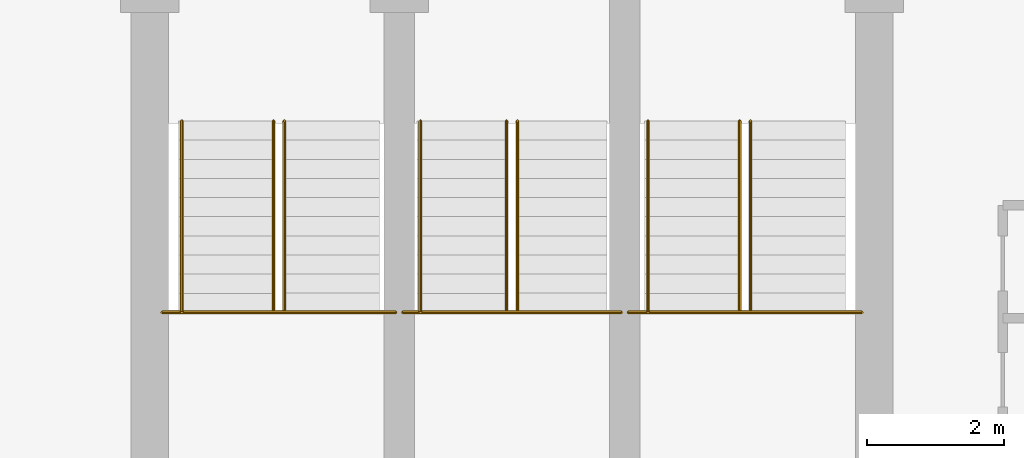
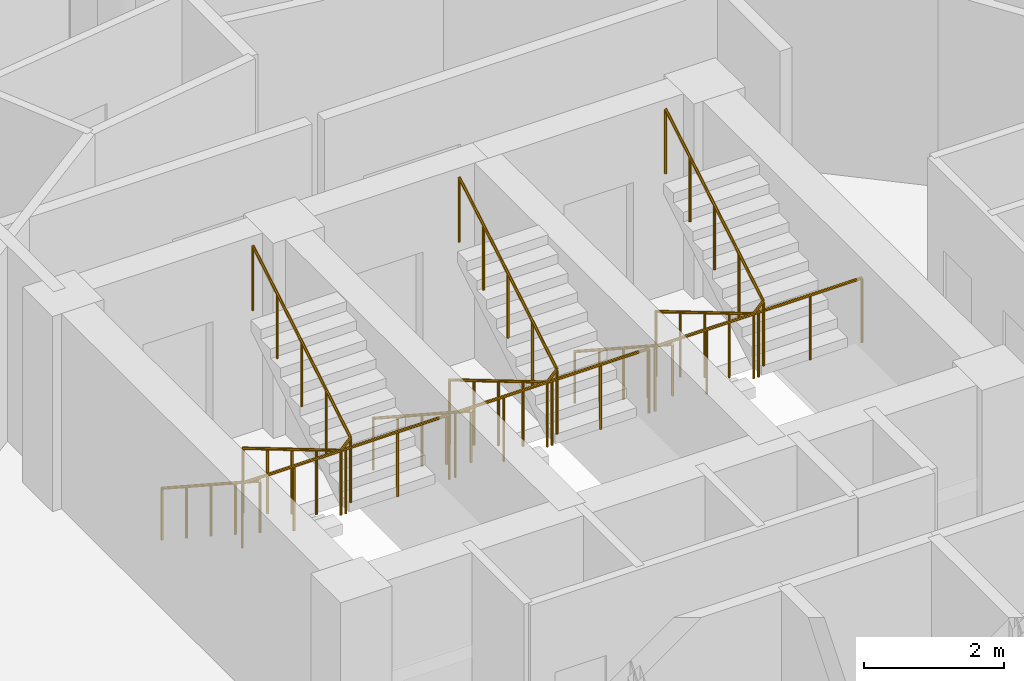
# One storey, part 27 of 27: 9 railings.
"""IFC4 building model written with IfcOpenShell, lengths in metres."""

import ifcopenshell
import ifcopenshell.guid

model = None  # the IFC model being written
_history = None  # IfcOwnerHistory: only IFC2X3 demands one
_inside = {}  # id of a spatial element -> (the spatial element, [elements in it])
_under = {}  # id of a project, library or spatial element -> (it, [spatial elements below it])
_declared = {}  # id of a project -> (the project, [libraries it declares])
_typed = {}  # id of a type object -> (the type object, [elements of that type])
_made_of = {}  # id of a material, layer set ... -> (it, [elements and type objects made of it])


def new_model(schema):
    """Start an empty IFC model of exactly this schema.

    Asked for "IFC4X3", IfcOpenShell would pick the latest addendum, in which some entities
    have other attributes; the version numbers below select the first issue.
    IFC2X3 requires an IfcOwnerHistory on every rooted entity: one is made here for all.
    """
    global model, _history
    if schema == "IFC4X3":
        model = ifcopenshell.file(schema_version=(4, 3, 0, 0))
    else:
        model = ifcopenshell.file(schema=schema)
    _inside.clear()
    _under.clear()
    _declared.clear()
    _typed.clear()
    _made_of.clear()
    _history = None
    if model.schema == "IFC2X3":
        org = make("IfcOrganization", Name="unknown")
        user = make(
            "IfcPersonAndOrganization",
            ThePerson=make("IfcPerson", FamilyName="unknown"),
            TheOrganization=org,
        )
        app = make(
            "IfcApplication",
            ApplicationDeveloper=org,
            Version="unknown",
            ApplicationFullName="unknown",
            ApplicationIdentifier="unknown",
        )
        _history = make(
            "IfcOwnerHistory",
            OwningUser=user,
            OwningApplication=app,
            ChangeAction="ADDED",
            CreationDate=0,
        )
    return model


def make(cls, **values):
    """One entity of the class cls with the attributes given. An attribute that is None is left unset."""
    return model.create_entity(
        cls, **{name: value for name, value in values.items() if value is not None}
    )


def rooted(cls, **values):
    """An entity with a GlobalId (a new one), such as an element, a storey or a relation."""
    return make(cls, GlobalId=ifcopenshell.guid.new(), OwnerHistory=_history, **values)


def si_unit(unit_type, name, prefix=None):
    """IfcSIUnit, for example si_unit("LENGTHUNIT", "METRE", prefix="MILLI")."""
    return make("IfcSIUnit", UnitType=unit_type, Prefix=prefix, Name=name)


def assignment(units):
    """IfcUnitAssignment: the units of a project."""
    return None if units is None else make("IfcUnitAssignment", Units=units)


def point(xyz):
    """IfcCartesianPoint."""
    return None if xyz is None else make("IfcCartesianPoint", Coordinates=xyz)


def direction(xyz):
    """IfcDirection."""
    return None if xyz is None else make("IfcDirection", DirectionRatios=xyz)


def frame(location, z_axis=None, x_axis=None):
    """IfcAxis2Placement3D, a coordinate frame: its origin and axes. An axis left out is left unset."""
    return make(
        "IfcAxis2Placement3D",
        Location=point(location),
        Axis=direction(z_axis),
        RefDirection=direction(x_axis),
    )


def origin():
    """The frame at (0, 0, 0) with its axes left unset."""
    return frame((0.0, 0.0, 0.0))


def place(relative_to, where):
    """IfcLocalPlacement: puts the frame where relative to a parent placement (None: the world)."""
    return make(
        "IfcLocalPlacement", PlacementRelTo=relative_to, RelativePlacement=where
    )


def context(
    kind, dimensions, precision=None, world=None, true_north=None, identifier=None
):
    """IfcGeometricRepresentationContext, for example the 3D "Model" context."""
    return make(
        "IfcGeometricRepresentationContext",
        ContextIdentifier=identifier,
        ContextType=kind,
        CoordinateSpaceDimension=dimensions,
        Precision=precision,
        WorldCoordinateSystem=world,
        TrueNorth=true_north,
    )


def subcontext(parent, identifier, kind, view, scale=None):
    """IfcGeometricRepresentationSubContext, for example "Body" below "Model"."""
    return make(
        "IfcGeometricRepresentationSubContext",
        ContextIdentifier=identifier,
        ContextType=kind,
        ParentContext=parent,
        TargetScale=scale,
        TargetView=view,
    )


def project(units=None, contexts=None):
    """IfcProject with its units and contexts."""
    return rooted(
        "IfcProject",
        Name="project",
        RepresentationContexts=contexts,
        UnitsInContext=assignment(units),
    )


def spatial(cls, under=None, at=None, **own):
    """A site, building, storey or space (cls), placed at a placement, below another one or the project."""
    s = rooted(cls, ObjectPlacement=at, **own)
    if under is not None:
        _under.setdefault(under.id(), (under, []))[1].append(s)
    return s


def polyline(points):
    """IfcPolyline through the points."""
    return make("IfcPolyline", Points=[point(p) for p in points])


def outline(outer, holes=None, kind="AREA"):
    """IfcArbitraryClosedProfileDef: a profile drawn as a closed curve; with holes, ...WithVoids."""
    if holes is None:
        return make("IfcArbitraryClosedProfileDef", ProfileType=kind, OuterCurve=outer)
    return make(
        "IfcArbitraryProfileDefWithVoids",
        ProfileType=kind,
        OuterCurve=outer,
        InnerCurves=holes,
    )


def extrude(swept, where, along, depth):
    """IfcExtrudedAreaSolid: the profile swept, set in the frame where, extruded along a direction by depth."""
    return make(
        "IfcExtrudedAreaSolid",
        SweptArea=swept,
        Position=where,
        ExtrudedDirection=direction(along),
        Depth=depth,
    )


def shape(context_of_items, identifier, shape_type, items):
    """IfcShapeRepresentation: the items that make up one representation, for example the "Body"."""
    return make(
        "IfcShapeRepresentation",
        ContextOfItems=context_of_items,
        RepresentationIdentifier=identifier,
        RepresentationType=shape_type,
        Items=items,
    )


def material(Name=None, Category=None):
    """IfcMaterial."""
    return make("IfcMaterial", Name=Name, Category=Category)


def made_of(thing, what):
    """Note that an element or type object is made of a material, layer set ...; save() writes the relation."""
    if what is not None:
        _made_of.setdefault(what.id(), (what, []))[1].append(thing)
    return thing


def type_object(cls, material=None, **own):
    """A type object (cls), such as IfcWallType, which elements share."""
    return made_of(rooted(cls, **own), material)


def element(
    cls,
    number,
    at=None,
    inside=None,
    cuts=None,
    type_object=None,
    material=None,
    context=None,
    identifier="Body",
    shape_type=None,
    held_by="IfcProductDefinitionShape",
    body=None,
    shapes=None,
    **own,
):
    """One element of the class cls, such as IfcWall. Its Tag is "e" and its number.

    at: its placement. inside: the storey or other place that contains it. cuts: it is an
    opening in that element (IfcRelVoidsElement). A single representation is given by context,
    identifier, shape_type and body (its items); several are given by shapes. held_by: the class
    of the entity that holds the representations. save() writes the other relations.
    """
    e = rooted(cls, Tag="e%d" % number, ObjectPlacement=at, **own)
    if body is not None:
        shapes = [shape(context, identifier, shape_type, body)]
    if shapes is not None:
        e.Representation = make(held_by, Representations=shapes)
    if inside is not None:
        _inside.setdefault(inside.id(), (inside, []))[1].append(e)
    if cuts is not None:
        rooted(
            "IfcRelVoidsElement", RelatingBuildingElement=cuts, RelatedOpeningElement=e
        )
    if type_object is not None:
        _typed.setdefault(type_object.id(), (type_object, []))[1].append(e)
    return made_of(e, material)


def aggregate(whole, parts):
    """IfcRelAggregates: a whole, such as a stair, and the parts it consists of."""
    return rooted("IfcRelAggregates", RelatingObject=whole, RelatedObjects=parts)


def save(model, path):
    """Write the relations noted so far, then the file.

    IfcRelAggregates (storeys below a building ...), IfcRelContainedInSpatialStructure (elements
    in a storey), IfcRelDefinesByType, IfcRelAssociatesMaterial and IfcRelDeclares: one each for
    every whole, place, type object, material and project.
    """
    for whole, parts in _under.values():
        aggregate(whole, parts)
    for where, things in _inside.values():
        rooted(
            "IfcRelContainedInSpatialStructure",
            RelatedElements=things,
            RelatingStructure=where,
        )
    for kind, things in _typed.values():
        rooted("IfcRelDefinesByType", RelatedObjects=things, RelatingType=kind)
    for what, things in _made_of.values():
        rooted("IfcRelAssociatesMaterial", RelatedObjects=things, RelatingMaterial=what)
    for by, libraries in _declared.values():
        rooted("IfcRelDeclares", RelatingContext=by, RelatedDefinitions=libraries)
    model.write(path)


model = new_model("IFC4")

# Units and contexts
model_context = context("Model", 3, precision=1e-05, world=origin(), true_north=direction((0.0, 1.0)))
body_context = subcontext(model_context, "Body", "Model", "MODEL_VIEW")
ifc_project = project(units=[si_unit("LENGTHUNIT", "METRE"), si_unit("AREAUNIT", "SQUARE_METRE"), si_unit("VOLUMEUNIT", "CUBIC_METRE"), si_unit("PLANEANGLEUNIT", "RADIAN"), si_unit("MASSUNIT", "GRAM", prefix="KILO")], contexts=[model_context])

# Site, building, storey
site_placement = place(None, origin())
site = spatial("IfcSite", under=ifc_project, at=site_placement, CompositionType="ELEMENT")
building_placement = place(site_placement, origin())
building = spatial("IfcBuilding", under=site, at=building_placement, Name="Nuhasar Tower", CompositionType="ELEMENT")
storey_placement = place(building_placement, frame((0.0, 0.0, 230.050048828125)))
storey = spatial("IfcBuildingStorey", under=building, at=storey_placement, Name="L56", CompositionType="ELEMENT", Elevation=230.050048828125)

# Railings
ifc_material_1 = material(Name="Steel S355", Category="steel")
railing_type_1 = type_object("IfcRailingType", Name="RLG-STAIR-GUARD-1150", PredefinedType="GUARDRAIL", material=ifc_material_1)
railing_1_placement = place(storey_placement, frame((33.8798828125, 32.485107421875, 1.824951171875)))
element("IfcRailing", 1, at=railing_1_placement, inside=storey, type_object=railing_type_1, Name="L56 Stair ST-01 Guardrail LND", PredefinedType="GUARDRAIL", context=body_context, shape_type="SweptSolid", body=[
    extrude(outline(polyline([(0.024169921875, 0.0), (0.01708984375, 0.01708984375), (0.0, 0.024169921875), (-0.01708984375, 0.01708984375), (-0.024169921875, 0.0), (-0.01708984375, -0.01708984375), (0.0, -0.024169921875), (0.01708984375, -0.01708984375), (0.024169921875, 0.0)])), frame((0.0, 0.0, 1.1259765625), z_axis=(1.0, 0.0, 0.0), x_axis=(0.0, 1.0, 0.0)), (0.0, 0.0, 1.0), 3.420166015625),
    extrude(outline(polyline([(0.02099609375, 0.0), (0.014892578125, 0.014892578125), (0.0, 0.02099609375), (-0.014892578125, 0.014892578125), (-0.02099609375, 0.0), (-0.014892578125, -0.014892578125), (0.0, -0.02099609375), (0.014892578125, -0.014892578125), (0.02099609375, 0.0)])), origin(), (0.0, 0.0, 1.0), 1.101806640625),
    extrude(outline(polyline([(0.02099609375, 0.0), (0.014892578125, 0.014892578125), (0.0, 0.02099609375), (-0.014892578125, 0.014892578125), (-0.02099609375, 0.0), (-0.014892578125, -0.014892578125), (0.0, -0.02099609375), (0.014892578125, -0.014892578125), (0.02099609375, 0.0)])), frame((0.85498046875, 0.0, 0.0)), (0.0, 0.0, 1.0), 1.101806640625),
    extrude(outline(polyline([(0.02099609375, 0.0), (0.014892578125, 0.014892578125), (0.0, 0.02099609375), (-0.014892578125, 0.014892578125), (-0.02099609375, 0.0), (-0.014892578125, -0.014892578125), (0.0, -0.02099609375), (0.014892578125, -0.014892578125), (0.02099609375, 0.0)])), frame((1.7099609375, 0.0, 0.0)), (0.0, 0.0, 1.0), 1.101806640625),
    extrude(outline(polyline([(0.02099609375, 0.0), (0.014892578125, 0.014892578125), (0.0, 0.02099609375), (-0.014892578125, 0.014892578125), (-0.02099609375, 0.0), (-0.014892578125, -0.014892578125), (0.0, -0.02099609375), (0.014892578125, -0.014892578125), (0.02099609375, 0.0)])), frame((2.565185546875, 0.0, 0.0)), (0.0, 0.0, 1.0), 1.101806640625),
    extrude(outline(polyline([(0.02099609375, 0.0), (0.014892578125, 0.014892578125), (0.0, 0.02099609375), (-0.014892578125, 0.014892578125), (-0.02099609375, 0.0), (-0.014892578125, -0.014892578125), (0.0, -0.02099609375), (0.014892578125, -0.014892578125), (0.02099609375, 0.0)])), frame((3.420166015625, 0.0, 0.0)), (0.0, 0.0, 1.0), 1.101806640625),
])
railing_2_placement = place(storey_placement, frame((35.510009765625, 35.284912109375, 0.166015625)))
element("IfcRailing", 2, at=railing_2_placement, inside=storey, type_object=railing_type_1, Name="L56 Stair ST-01 Guardrail SLT", PredefinedType="GUARDRAIL", context=body_context, shape_type="SweptSolid", body=[
    extrude(outline(polyline([(0.024169921875, 0.0), (0.01708984375, 0.01708984375), (0.0, 0.024169921875), (-0.01708984375, 0.01708984375), (-0.024169921875, 0.0), (-0.01708984375, -0.01708984375), (0.0, -0.024169921875), (0.01708984375, -0.01708984375), (0.024169921875, 0.0)])), frame((0.0, 0.0, 1.1259765625), z_axis=(0.0, -0.860319559791, 0.509755093197), x_axis=(1.0, 0.0, 0.0)), (0.0, 0.0, 1.0), 3.25439453125),
    extrude(outline(polyline([(0.024169921875, 0.0), (0.01708984375, 0.01708984375), (0.0, 0.024169921875), (-0.01708984375, 0.01708984375), (-0.024169921875, 0.0), (-0.01708984375, -0.01708984375), (0.0, -0.024169921875), (0.01708984375, -0.01708984375), (0.024169921875, 0.0)])), frame((0.0, -2.7998046875, 2.78466796875), z_axis=(0.693743449033, 0.0, 0.72022220663), x_axis=(0.0, 1.0, 0.0)), (0.0, 0.0, 1.0), 0.23046875),
    extrude(outline(polyline([(0.024169921875, 0.0), (0.01708984375, 0.01708984375), (0.0, 0.024169921875), (-0.01708984375, 0.01708984375), (-0.024169921875, 0.0), (-0.01708984375, -0.01708984375), (0.0, -0.024169921875), (0.01708984375, -0.01708984375), (0.024169921875, 0.0)])), frame((0.159912109375, -2.7998046875, 2.95068359375), z_axis=(0.0, 0.860319559791, 0.509755093197), x_axis=(-1.0, 0.0, 0.0)), (0.0, 0.0, 1.0), 3.25439453125),
    extrude(outline(polyline([(0.02099609375, 0.0), (0.014892578125, 0.014892578125), (0.0, 0.02099609375), (-0.014892578125, 0.014892578125), (-0.02099609375, 0.0), (-0.014892578125, -0.014892578125), (0.0, -0.02099609375), (0.014892578125, -0.014892578125), (0.02099609375, 0.0)])), origin(), (0.0, 0.0, 1.0), 1.101806640625),
    extrude(outline(polyline([(0.02099609375, 0.0), (0.014892578125, 0.014892578125), (0.0, 0.02099609375), (-0.014892578125, 0.014892578125), (-0.02099609375, 0.0), (-0.014892578125, -0.014892578125), (0.0, -0.02099609375), (0.014892578125, -0.014892578125), (0.02099609375, 0.0)])), frame((0.0, -0.699951171875, 0.414794921875)), (0.0, 0.0, 1.0), 1.101806640625),
    extrude(outline(polyline([(0.02099609375, 0.0), (0.014892578125, 0.014892578125), (0.0, 0.02099609375), (-0.014892578125, 0.014892578125), (-0.02099609375, 0.0), (-0.014892578125, -0.014892578125), (0.0, -0.02099609375), (0.014892578125, -0.014892578125), (0.02099609375, 0.0)])), frame((0.0, -1.39990234375, 0.82958984375)), (0.0, 0.0, 1.0), 1.101806640625),
    extrude(outline(polyline([(0.02099609375, 0.0), (0.014892578125, 0.014892578125), (0.0, 0.02099609375), (-0.014892578125, 0.014892578125), (-0.02099609375, 0.0), (-0.014892578125, -0.014892578125), (0.0, -0.02099609375), (0.014892578125, -0.014892578125), (0.02099609375, 0.0)])), frame((0.0, -2.099853515625, 1.244140625)), (0.0, 0.0, 1.0), 1.101806640625),
    extrude(outline(polyline([(0.02099609375, 0.0), (0.014892578125, 0.014892578125), (0.0, 0.02099609375), (-0.014892578125, 0.014892578125), (-0.02099609375, 0.0), (-0.014892578125, -0.014892578125), (0.0, -0.02099609375), (0.014892578125, -0.014892578125), (0.02099609375, 0.0)])), frame((0.0, -2.7998046875, 1.658935546875)), (0.0, 0.0, 1.0), 1.101806640625),
    extrude(outline(polyline([(0.02099609375, 0.0), (0.014892578125, 0.014892578125), (0.0, 0.02099609375), (-0.014892578125, 0.014892578125), (-0.02099609375, 0.0), (-0.014892578125, -0.014892578125), (0.0, -0.02099609375), (0.014892578125, -0.014892578125), (0.02099609375, 0.0)])), frame((0.159912109375, -2.7998046875, 1.824951171875)), (0.0, 0.0, 1.0), 1.101806640625),
    extrude(outline(polyline([(0.02099609375, 0.0), (0.014892578125, 0.014892578125), (0.0, 0.02099609375), (-0.014892578125, 0.014892578125), (-0.02099609375, 0.0), (-0.014892578125, -0.014892578125), (0.0, -0.02099609375), (0.014892578125, -0.014892578125), (0.02099609375, 0.0)])), frame((0.159912109375, -2.099853515625, 2.23974609375)), (0.0, 0.0, 1.0), 1.101806640625),
    extrude(outline(polyline([(0.02099609375, 0.0), (0.014892578125, 0.014892578125), (0.0, 0.02099609375), (-0.014892578125, 0.014892578125), (-0.02099609375, 0.0), (-0.014892578125, -0.014892578125), (0.0, -0.02099609375), (0.014892578125, -0.014892578125), (0.02099609375, 0.0)])), frame((0.159912109375, -1.39990234375, 2.654296875)), (0.0, 0.0, 1.0), 1.101806640625),
    extrude(outline(polyline([(0.02099609375, 0.0), (0.014892578125, 0.014892578125), (0.0, 0.02099609375), (-0.014892578125, 0.014892578125), (-0.02099609375, 0.0), (-0.014892578125, -0.014892578125), (0.0, -0.02099609375), (0.014892578125, -0.014892578125), (0.02099609375, 0.0)])), frame((0.159912109375, -0.699951171875, 3.069091796875)), (0.0, 0.0, 1.0), 1.101806640625),
    extrude(outline(polyline([(0.02099609375, 0.0), (0.014892578125, 0.014892578125), (0.0, 0.02099609375), (-0.014892578125, 0.014892578125), (-0.02099609375, 0.0), (-0.014892578125, -0.014892578125), (0.0, -0.02099609375), (0.014892578125, -0.014892578125), (0.02099609375, 0.0)])), frame((0.159912109375, 0.0, 3.48388671875)), (0.0, 0.0, 1.0), 1.101806640625),
])
railing_3_placement = place(storey_placement, frame((37.39990234375, 32.485107421875, 1.824951171875)))
element("IfcRailing", 3, at=railing_3_placement, inside=storey, type_object=railing_type_1, Name="L56 Stair ST-03 Guardrail LND", PredefinedType="GUARDRAIL", context=body_context, shape_type="SweptSolid", body=[
    extrude(outline(polyline([(0.024169921875, 0.0), (0.01708984375, 0.01708984375), (0.0, 0.024169921875), (-0.01708984375, 0.01708984375), (-0.024169921875, 0.0), (-0.01708984375, -0.01708984375), (0.0, -0.024169921875), (0.01708984375, -0.01708984375), (0.024169921875, 0.0)])), frame((0.0, 0.0, 1.1259765625), z_axis=(1.0, 0.0, 0.0), x_axis=(0.0, 1.0, 0.0)), (0.0, 0.0, 1.0), 3.2001953125),
    extrude(outline(polyline([(0.02099609375, 0.0), (0.014892578125, 0.014892578125), (0.0, 0.02099609375), (-0.014892578125, 0.014892578125), (-0.02099609375, 0.0), (-0.014892578125, -0.014892578125), (0.0, -0.02099609375), (0.014892578125, -0.014892578125), (0.02099609375, 0.0)])), origin(), (0.0, 0.0, 1.0), 1.101806640625),
    extrude(outline(polyline([(0.02099609375, 0.0), (0.014892578125, 0.014892578125), (0.0, 0.02099609375), (-0.014892578125, 0.014892578125), (-0.02099609375, 0.0), (-0.014892578125, -0.014892578125), (0.0, -0.02099609375), (0.014892578125, -0.014892578125), (0.02099609375, 0.0)])), frame((0.800048828125, 0.0, 0.0)), (0.0, 0.0, 1.0), 1.101806640625),
    extrude(outline(polyline([(0.02099609375, 0.0), (0.014892578125, 0.014892578125), (0.0, 0.02099609375), (-0.014892578125, 0.014892578125), (-0.02099609375, 0.0), (-0.014892578125, -0.014892578125), (0.0, -0.02099609375), (0.014892578125, -0.014892578125), (0.02099609375, 0.0)])), frame((1.60009765625, 0.0, 0.0)), (0.0, 0.0, 1.0), 1.101806640625),
    extrude(outline(polyline([(0.02099609375, 0.0), (0.014892578125, 0.014892578125), (0.0, 0.02099609375), (-0.014892578125, 0.014892578125), (-0.02099609375, 0.0), (-0.014892578125, -0.014892578125), (0.0, -0.02099609375), (0.014892578125, -0.014892578125), (0.02099609375, 0.0)])), frame((2.400146484375, 0.0, 0.0)), (0.0, 0.0, 1.0), 1.101806640625),
    extrude(outline(polyline([(0.02099609375, 0.0), (0.014892578125, 0.014892578125), (0.0, 0.02099609375), (-0.014892578125, 0.014892578125), (-0.02099609375, 0.0), (-0.014892578125, -0.014892578125), (0.0, -0.02099609375), (0.014892578125, -0.014892578125), (0.02099609375, 0.0)])), frame((3.2001953125, 0.0, 0.0)), (0.0, 0.0, 1.0), 1.101806640625),
])
railing_4_placement = place(storey_placement, frame((38.919921875, 35.284912109375, 0.166015625)))
element("IfcRailing", 4, at=railing_4_placement, inside=storey, type_object=railing_type_1, Name="L56 Stair ST-03 Guardrail SLT", PredefinedType="GUARDRAIL", context=body_context, shape_type="SweptSolid", body=[
    extrude(outline(polyline([(0.024169921875, 0.0), (0.01708984375, 0.01708984375), (0.0, 0.024169921875), (-0.01708984375, 0.01708984375), (-0.024169921875, 0.0), (-0.01708984375, -0.01708984375), (0.0, -0.024169921875), (0.01708984375, -0.01708984375), (0.024169921875, 0.0)])), frame((0.0, 0.0, 1.1259765625), z_axis=(0.0, -0.860319559791, 0.509755093197), x_axis=(1.0, 0.0, 0.0)), (0.0, 0.0, 1.0), 3.25439453125),
    extrude(outline(polyline([(0.024169921875, 0.0), (0.01708984375, 0.01708984375), (0.0, 0.024169921875), (-0.01708984375, 0.01708984375), (-0.024169921875, 0.0), (-0.01708984375, -0.01708984375), (0.0, -0.024169921875), (0.01708984375, -0.01708984375), (0.024169921875, 0.0)])), frame((0.0, -2.7998046875, 2.78466796875), z_axis=(0.694292246407, 0.0, 0.719693182251), x_axis=(0.0, 1.0, 0.0)), (0.0, 0.0, 1.0), 0.230712890625),
    extrude(outline(polyline([(0.024169921875, 0.0), (0.01708984375, 0.01708984375), (0.0, 0.024169921875), (-0.01708984375, 0.01708984375), (-0.024169921875, 0.0), (-0.01708984375, -0.01708984375), (0.0, -0.024169921875), (0.01708984375, -0.01708984375), (0.024169921875, 0.0)])), frame((0.16015625, -2.7998046875, 2.95068359375), z_axis=(0.0, 0.860319559791, 0.509755093197), x_axis=(-1.0, 0.0, 0.0)), (0.0, 0.0, 1.0), 3.25439453125),
    extrude(outline(polyline([(0.02099609375, 0.0), (0.014892578125, 0.014892578125), (0.0, 0.02099609375), (-0.014892578125, 0.014892578125), (-0.02099609375, 0.0), (-0.014892578125, -0.014892578125), (0.0, -0.02099609375), (0.014892578125, -0.014892578125), (0.02099609375, 0.0)])), origin(), (0.0, 0.0, 1.0), 1.101806640625),
    extrude(outline(polyline([(0.02099609375, 0.0), (0.014892578125, 0.014892578125), (0.0, 0.02099609375), (-0.014892578125, 0.014892578125), (-0.02099609375, 0.0), (-0.014892578125, -0.014892578125), (0.0, -0.02099609375), (0.014892578125, -0.014892578125), (0.02099609375, 0.0)])), frame((0.0, -0.699951171875, 0.414794921875)), (0.0, 0.0, 1.0), 1.101806640625),
    extrude(outline(polyline([(0.02099609375, 0.0), (0.014892578125, 0.014892578125), (0.0, 0.02099609375), (-0.014892578125, 0.014892578125), (-0.02099609375, 0.0), (-0.014892578125, -0.014892578125), (0.0, -0.02099609375), (0.014892578125, -0.014892578125), (0.02099609375, 0.0)])), frame((0.0, -1.39990234375, 0.82958984375)), (0.0, 0.0, 1.0), 1.101806640625),
    extrude(outline(polyline([(0.02099609375, 0.0), (0.014892578125, 0.014892578125), (0.0, 0.02099609375), (-0.014892578125, 0.014892578125), (-0.02099609375, 0.0), (-0.014892578125, -0.014892578125), (0.0, -0.02099609375), (0.014892578125, -0.014892578125), (0.02099609375, 0.0)])), frame((0.0, -2.099853515625, 1.244140625)), (0.0, 0.0, 1.0), 1.101806640625),
    extrude(outline(polyline([(0.02099609375, 0.0), (0.014892578125, 0.014892578125), (0.0, 0.02099609375), (-0.014892578125, 0.014892578125), (-0.02099609375, 0.0), (-0.014892578125, -0.014892578125), (0.0, -0.02099609375), (0.014892578125, -0.014892578125), (0.02099609375, 0.0)])), frame((0.0, -2.7998046875, 1.658935546875)), (0.0, 0.0, 1.0), 1.101806640625),
    extrude(outline(polyline([(0.02099609375, 0.0), (0.014892578125, 0.014892578125), (0.0, 0.02099609375), (-0.014892578125, 0.014892578125), (-0.02099609375, 0.0), (-0.014892578125, -0.014892578125), (0.0, -0.02099609375), (0.014892578125, -0.014892578125), (0.02099609375, 0.0)])), frame((0.16015625, -2.7998046875, 1.824951171875)), (0.0, 0.0, 1.0), 1.101806640625),
    extrude(outline(polyline([(0.02099609375, 0.0), (0.014892578125, 0.014892578125), (0.0, 0.02099609375), (-0.014892578125, 0.014892578125), (-0.02099609375, 0.0), (-0.014892578125, -0.014892578125), (0.0, -0.02099609375), (0.014892578125, -0.014892578125), (0.02099609375, 0.0)])), frame((0.16015625, -2.099853515625, 2.23974609375)), (0.0, 0.0, 1.0), 1.101806640625),
    extrude(outline(polyline([(0.02099609375, 0.0), (0.014892578125, 0.014892578125), (0.0, 0.02099609375), (-0.014892578125, 0.014892578125), (-0.02099609375, 0.0), (-0.014892578125, -0.014892578125), (0.0, -0.02099609375), (0.014892578125, -0.014892578125), (0.02099609375, 0.0)])), frame((0.16015625, -1.39990234375, 2.654296875)), (0.0, 0.0, 1.0), 1.101806640625),
    extrude(outline(polyline([(0.02099609375, 0.0), (0.014892578125, 0.014892578125), (0.0, 0.02099609375), (-0.014892578125, 0.014892578125), (-0.02099609375, 0.0), (-0.014892578125, -0.014892578125), (0.0, -0.02099609375), (0.014892578125, -0.014892578125), (0.02099609375, 0.0)])), frame((0.16015625, -0.699951171875, 3.069091796875)), (0.0, 0.0, 1.0), 1.101806640625),
    extrude(outline(polyline([(0.02099609375, 0.0), (0.014892578125, 0.014892578125), (0.0, 0.02099609375), (-0.014892578125, 0.014892578125), (-0.02099609375, 0.0), (-0.014892578125, -0.014892578125), (0.0, -0.02099609375), (0.014892578125, -0.014892578125), (0.02099609375, 0.0)])), frame((0.16015625, 0.0, 3.48388671875)), (0.0, 0.0, 1.0), 1.101806640625),
])
railing_5_placement = place(storey_placement, frame((40.699951171875, 32.485107421875, 1.824951171875)))
element("IfcRailing", 5, at=railing_5_placement, inside=storey, type_object=railing_type_1, Name="L56 Stair ST-02 Guardrail LND", PredefinedType="GUARDRAIL", context=body_context, shape_type="SweptSolid", body=[
    extrude(outline(polyline([(0.024169921875, 0.0), (0.01708984375, 0.01708984375), (0.0, 0.024169921875), (-0.01708984375, 0.01708984375), (-0.024169921875, 0.0), (-0.01708984375, -0.01708984375), (0.0, -0.024169921875), (0.01708984375, -0.01708984375), (0.024169921875, 0.0)])), frame((0.0, 0.0, 1.1259765625), z_axis=(1.0, 0.0, 0.0), x_axis=(0.0, 1.0, 0.0)), (0.0, 0.0, 1.0), 3.420166015625),
    extrude(outline(polyline([(0.02099609375, 0.0), (0.014892578125, 0.014892578125), (0.0, 0.02099609375), (-0.014892578125, 0.014892578125), (-0.02099609375, 0.0), (-0.014892578125, -0.014892578125), (0.0, -0.02099609375), (0.014892578125, -0.014892578125), (0.02099609375, 0.0)])), origin(), (0.0, 0.0, 1.0), 1.101806640625),
    extrude(outline(polyline([(0.02099609375, 0.0), (0.014892578125, 0.014892578125), (0.0, 0.02099609375), (-0.014892578125, 0.014892578125), (-0.02099609375, 0.0), (-0.014892578125, -0.014892578125), (0.0, -0.02099609375), (0.014892578125, -0.014892578125), (0.02099609375, 0.0)])), frame((0.85498046875, 0.0, 0.0)), (0.0, 0.0, 1.0), 1.101806640625),
    extrude(outline(polyline([(0.02099609375, 0.0), (0.014892578125, 0.014892578125), (0.0, 0.02099609375), (-0.014892578125, 0.014892578125), (-0.02099609375, 0.0), (-0.014892578125, -0.014892578125), (0.0, -0.02099609375), (0.014892578125, -0.014892578125), (0.02099609375, 0.0)])), frame((1.7099609375, 0.0, 0.0)), (0.0, 0.0, 1.0), 1.101806640625),
    extrude(outline(polyline([(0.02099609375, 0.0), (0.014892578125, 0.014892578125), (0.0, 0.02099609375), (-0.014892578125, 0.014892578125), (-0.02099609375, 0.0), (-0.014892578125, -0.014892578125), (0.0, -0.02099609375), (0.014892578125, -0.014892578125), (0.02099609375, 0.0)])), frame((2.565185546875, 0.0, 0.0)), (0.0, 0.0, 1.0), 1.101806640625),
    extrude(outline(polyline([(0.02099609375, 0.0), (0.014892578125, 0.014892578125), (0.0, 0.02099609375), (-0.014892578125, 0.014892578125), (-0.02099609375, 0.0), (-0.014892578125, -0.014892578125), (0.0, -0.02099609375), (0.014892578125, -0.014892578125), (0.02099609375, 0.0)])), frame((3.420166015625, 0.0, 0.0)), (0.0, 0.0, 1.0), 1.101806640625),
])
railing_6_placement = place(storey_placement, frame((42.330078125, 35.284912109375, 0.166015625)))
element("IfcRailing", 6, at=railing_6_placement, inside=storey, type_object=railing_type_1, Name="L56 Stair ST-02 Guardrail SLT", PredefinedType="GUARDRAIL", context=body_context, shape_type="SweptSolid", body=[
    extrude(outline(polyline([(0.024169921875, 0.0), (0.01708984375, 0.01708984375), (0.0, 0.024169921875), (-0.01708984375, 0.01708984375), (-0.024169921875, 0.0), (-0.01708984375, -0.01708984375), (0.0, -0.024169921875), (0.01708984375, -0.01708984375), (0.024169921875, 0.0)])), frame((0.0, 0.0, 1.1259765625), z_axis=(0.0, -0.860319559791, 0.509755093197), x_axis=(1.0, 0.0, 0.0)), (0.0, 0.0, 1.0), 3.25439453125),
    extrude(outline(polyline([(0.024169921875, 0.0), (0.01708984375, 0.01708984375), (0.0, 0.024169921875), (-0.01708984375, 0.01708984375), (-0.024169921875, 0.0), (-0.01708984375, -0.01708984375), (0.0, -0.024169921875), (0.01708984375, -0.01708984375), (0.024169921875, 0.0)])), frame((0.0, -2.7998046875, 2.78466796875), z_axis=(0.693743449033, 0.0, 0.72022220663), x_axis=(0.0, 1.0, 0.0)), (0.0, 0.0, 1.0), 0.23046875),
    extrude(outline(polyline([(0.024169921875, 0.0), (0.01708984375, 0.01708984375), (0.0, 0.024169921875), (-0.01708984375, 0.01708984375), (-0.024169921875, 0.0), (-0.01708984375, -0.01708984375), (0.0, -0.024169921875), (0.01708984375, -0.01708984375), (0.024169921875, 0.0)])), frame((0.159912109375, -2.7998046875, 2.95068359375), z_axis=(0.0, 0.860319559791, 0.509755093197), x_axis=(-1.0, 0.0, 0.0)), (0.0, 0.0, 1.0), 3.25439453125),
    extrude(outline(polyline([(0.02099609375, 0.0), (0.014892578125, 0.014892578125), (0.0, 0.02099609375), (-0.014892578125, 0.014892578125), (-0.02099609375, 0.0), (-0.014892578125, -0.014892578125), (0.0, -0.02099609375), (0.014892578125, -0.014892578125), (0.02099609375, 0.0)])), origin(), (0.0, 0.0, 1.0), 1.101806640625),
    extrude(outline(polyline([(0.02099609375, 0.0), (0.014892578125, 0.014892578125), (0.0, 0.02099609375), (-0.014892578125, 0.014892578125), (-0.02099609375, 0.0), (-0.014892578125, -0.014892578125), (0.0, -0.02099609375), (0.014892578125, -0.014892578125), (0.02099609375, 0.0)])), frame((0.0, -0.699951171875, 0.414794921875)), (0.0, 0.0, 1.0), 1.101806640625),
    extrude(outline(polyline([(0.02099609375, 0.0), (0.014892578125, 0.014892578125), (0.0, 0.02099609375), (-0.014892578125, 0.014892578125), (-0.02099609375, 0.0), (-0.014892578125, -0.014892578125), (0.0, -0.02099609375), (0.014892578125, -0.014892578125), (0.02099609375, 0.0)])), frame((0.0, -1.39990234375, 0.82958984375)), (0.0, 0.0, 1.0), 1.101806640625),
    extrude(outline(polyline([(0.02099609375, 0.0), (0.014892578125, 0.014892578125), (0.0, 0.02099609375), (-0.014892578125, 0.014892578125), (-0.02099609375, 0.0), (-0.014892578125, -0.014892578125), (0.0, -0.02099609375), (0.014892578125, -0.014892578125), (0.02099609375, 0.0)])), frame((0.0, -2.099853515625, 1.244140625)), (0.0, 0.0, 1.0), 1.101806640625),
    extrude(outline(polyline([(0.02099609375, 0.0), (0.014892578125, 0.014892578125), (0.0, 0.02099609375), (-0.014892578125, 0.014892578125), (-0.02099609375, 0.0), (-0.014892578125, -0.014892578125), (0.0, -0.02099609375), (0.014892578125, -0.014892578125), (0.02099609375, 0.0)])), frame((0.0, -2.7998046875, 1.658935546875)), (0.0, 0.0, 1.0), 1.101806640625),
    extrude(outline(polyline([(0.02099609375, 0.0), (0.014892578125, 0.014892578125), (0.0, 0.02099609375), (-0.014892578125, 0.014892578125), (-0.02099609375, 0.0), (-0.014892578125, -0.014892578125), (0.0, -0.02099609375), (0.014892578125, -0.014892578125), (0.02099609375, 0.0)])), frame((0.159912109375, -2.7998046875, 1.824951171875)), (0.0, 0.0, 1.0), 1.101806640625),
    extrude(outline(polyline([(0.02099609375, 0.0), (0.014892578125, 0.014892578125), (0.0, 0.02099609375), (-0.014892578125, 0.014892578125), (-0.02099609375, 0.0), (-0.014892578125, -0.014892578125), (0.0, -0.02099609375), (0.014892578125, -0.014892578125), (0.02099609375, 0.0)])), frame((0.159912109375, -2.099853515625, 2.23974609375)), (0.0, 0.0, 1.0), 1.101806640625),
    extrude(outline(polyline([(0.02099609375, 0.0), (0.014892578125, 0.014892578125), (0.0, 0.02099609375), (-0.014892578125, 0.014892578125), (-0.02099609375, 0.0), (-0.014892578125, -0.014892578125), (0.0, -0.02099609375), (0.014892578125, -0.014892578125), (0.02099609375, 0.0)])), frame((0.159912109375, -1.39990234375, 2.654296875)), (0.0, 0.0, 1.0), 1.101806640625),
    extrude(outline(polyline([(0.02099609375, 0.0), (0.014892578125, 0.014892578125), (0.0, 0.02099609375), (-0.014892578125, 0.014892578125), (-0.02099609375, 0.0), (-0.014892578125, -0.014892578125), (0.0, -0.02099609375), (0.014892578125, -0.014892578125), (0.02099609375, 0.0)])), frame((0.159912109375, -0.699951171875, 3.069091796875)), (0.0, 0.0, 1.0), 1.101806640625),
    extrude(outline(polyline([(0.02099609375, 0.0), (0.014892578125, 0.014892578125), (0.0, 0.02099609375), (-0.014892578125, 0.014892578125), (-0.02099609375, 0.0), (-0.014892578125, -0.014892578125), (0.0, -0.02099609375), (0.014892578125, -0.014892578125), (0.02099609375, 0.0)])), frame((0.159912109375, 0.0, 3.48388671875)), (0.0, 0.0, 1.0), 1.101806640625),
])
ifc_material_2 = material(Name="Stainless Steel 316L", Category="steel")
railing_type_2 = type_object("IfcRailingType", Name="RLG-STAIR-HAND-920", PredefinedType="HANDRAIL", material=ifc_material_2)
railing_7_placement = place(storey_placement, frame((34.169921875, 35.284912109375, 0.166015625)))
element("IfcRailing", 7, at=railing_7_placement, inside=storey, type_object=railing_type_2, Name="L56 Stair ST-01 Handrail HND1", PredefinedType="HANDRAIL", context=body_context, shape_type="SweptSolid", body=[
    extrude(outline(polyline([(0.024169921875, 0.0), (0.01708984375, 0.01708984375), (0.0, 0.024169921875), (-0.01708984375, 0.01708984375), (-0.024169921875, 0.0), (-0.01708984375, -0.01708984375), (0.0, -0.024169921875), (0.01708984375, -0.01708984375), (0.024169921875, 0.0)])), frame((0.0, 0.0, 0.89599609375), z_axis=(0.0, -0.837748630625, 0.546056070276), x_axis=(1.0, 0.0, 0.0)), (0.0, 0.0, 1.0), 3.342041015625),
    extrude(outline(polyline([(0.02099609375, 0.0), (0.014892578125, 0.014892578125), (0.0, 0.02099609375), (-0.014892578125, 0.014892578125), (-0.02099609375, 0.0), (-0.014892578125, -0.014892578125), (0.0, -0.02099609375), (0.014892578125, -0.014892578125), (0.02099609375, 0.0)])), origin(), (0.0, 0.0, 1.0), 0.871826171875),
    extrude(outline(polyline([(0.02099609375, 0.0), (0.014892578125, 0.014892578125), (0.0, 0.02099609375), (-0.014892578125, 0.014892578125), (-0.02099609375, 0.0), (-0.014892578125, -0.014892578125), (0.0, -0.02099609375), (0.014892578125, -0.014892578125), (0.02099609375, 0.0)])), frame((0.0, -0.699951171875, 0.456298828125)), (0.0, 0.0, 1.0), 0.871826171875),
    extrude(outline(polyline([(0.02099609375, 0.0), (0.014892578125, 0.014892578125), (0.0, 0.02099609375), (-0.014892578125, 0.014892578125), (-0.02099609375, 0.0), (-0.014892578125, -0.014892578125), (0.0, -0.02099609375), (0.014892578125, -0.014892578125), (0.02099609375, 0.0)])), frame((0.0, -1.39990234375, 0.91259765625)), (0.0, 0.0, 1.0), 0.871826171875),
    extrude(outline(polyline([(0.02099609375, 0.0), (0.014892578125, 0.014892578125), (0.0, 0.02099609375), (-0.014892578125, 0.014892578125), (-0.02099609375, 0.0), (-0.014892578125, -0.014892578125), (0.0, -0.02099609375), (0.014892578125, -0.014892578125), (0.02099609375, 0.0)])), frame((0.0, -2.099853515625, 1.36865234375)), (0.0, 0.0, 1.0), 0.871826171875),
    extrude(outline(polyline([(0.02099609375, 0.0), (0.014892578125, 0.014892578125), (0.0, 0.02099609375), (-0.014892578125, 0.014892578125), (-0.02099609375, 0.0), (-0.014892578125, -0.014892578125), (0.0, -0.02099609375), (0.014892578125, -0.014892578125), (0.02099609375, 0.0)])), frame((0.0, -2.7998046875, 1.824951171875)), (0.0, 0.0, 1.0), 0.871826171875),
])
railing_8_placement = place(storey_placement, frame((37.659912109375, 35.284912109375, 0.166015625)))
element("IfcRailing", 8, at=railing_8_placement, inside=storey, type_object=railing_type_2, Name="L56 Stair ST-03 Handrail HND1", PredefinedType="HANDRAIL", context=body_context, shape_type="SweptSolid", body=[
    extrude(outline(polyline([(0.024169921875, 0.0), (0.01708984375, 0.01708984375), (0.0, 0.024169921875), (-0.01708984375, 0.01708984375), (-0.024169921875, 0.0), (-0.01708984375, -0.01708984375), (0.0, -0.024169921875), (0.01708984375, -0.01708984375), (0.024169921875, 0.0)])), frame((0.0, 0.0, 0.89599609375), z_axis=(0.0, -0.837748630625, 0.546056070276), x_axis=(1.0, 0.0, 0.0)), (0.0, 0.0, 1.0), 3.342041015625),
    extrude(outline(polyline([(0.02099609375, 0.0), (0.014892578125, 0.014892578125), (0.0, 0.02099609375), (-0.014892578125, 0.014892578125), (-0.02099609375, 0.0), (-0.014892578125, -0.014892578125), (0.0, -0.02099609375), (0.014892578125, -0.014892578125), (0.02099609375, 0.0)])), origin(), (0.0, 0.0, 1.0), 0.871826171875),
    extrude(outline(polyline([(0.02099609375, 0.0), (0.014892578125, 0.014892578125), (0.0, 0.02099609375), (-0.014892578125, 0.014892578125), (-0.02099609375, 0.0), (-0.014892578125, -0.014892578125), (0.0, -0.02099609375), (0.014892578125, -0.014892578125), (0.02099609375, 0.0)])), frame((0.0, -0.699951171875, 0.456298828125)), (0.0, 0.0, 1.0), 0.871826171875),
    extrude(outline(polyline([(0.02099609375, 0.0), (0.014892578125, 0.014892578125), (0.0, 0.02099609375), (-0.014892578125, 0.014892578125), (-0.02099609375, 0.0), (-0.014892578125, -0.014892578125), (0.0, -0.02099609375), (0.014892578125, -0.014892578125), (0.02099609375, 0.0)])), frame((0.0, -1.39990234375, 0.91259765625)), (0.0, 0.0, 1.0), 0.871826171875),
    extrude(outline(polyline([(0.02099609375, 0.0), (0.014892578125, 0.014892578125), (0.0, 0.02099609375), (-0.014892578125, 0.014892578125), (-0.02099609375, 0.0), (-0.014892578125, -0.014892578125), (0.0, -0.02099609375), (0.014892578125, -0.014892578125), (0.02099609375, 0.0)])), frame((0.0, -2.099853515625, 1.36865234375)), (0.0, 0.0, 1.0), 0.871826171875),
    extrude(outline(polyline([(0.02099609375, 0.0), (0.014892578125, 0.014892578125), (0.0, 0.02099609375), (-0.014892578125, 0.014892578125), (-0.02099609375, 0.0), (-0.014892578125, -0.014892578125), (0.0, -0.02099609375), (0.014892578125, -0.014892578125), (0.02099609375, 0.0)])), frame((0.0, -2.7998046875, 1.824951171875)), (0.0, 0.0, 1.0), 0.871826171875),
])
railing_9_placement = place(storey_placement, frame((40.989990234375, 35.284912109375, 0.166015625)))
element("IfcRailing", 9, at=railing_9_placement, inside=storey, type_object=railing_type_2, Name="L56 Stair ST-02 Handrail HND1", PredefinedType="HANDRAIL", context=body_context, shape_type="SweptSolid", body=[
    extrude(outline(polyline([(0.024169921875, 0.0), (0.01708984375, 0.01708984375), (0.0, 0.024169921875), (-0.01708984375, 0.01708984375), (-0.024169921875, 0.0), (-0.01708984375, -0.01708984375), (0.0, -0.024169921875), (0.01708984375, -0.01708984375), (0.024169921875, 0.0)])), frame((0.0, 0.0, 0.89599609375), z_axis=(0.0, -0.837748630625, 0.546056070276), x_axis=(1.0, 0.0, 0.0)), (0.0, 0.0, 1.0), 3.342041015625),
    extrude(outline(polyline([(0.02099609375, 0.0), (0.014892578125, 0.014892578125), (0.0, 0.02099609375), (-0.014892578125, 0.014892578125), (-0.02099609375, 0.0), (-0.014892578125, -0.014892578125), (0.0, -0.02099609375), (0.014892578125, -0.014892578125), (0.02099609375, 0.0)])), origin(), (0.0, 0.0, 1.0), 0.871826171875),
    extrude(outline(polyline([(0.02099609375, 0.0), (0.014892578125, 0.014892578125), (0.0, 0.02099609375), (-0.014892578125, 0.014892578125), (-0.02099609375, 0.0), (-0.014892578125, -0.014892578125), (0.0, -0.02099609375), (0.014892578125, -0.014892578125), (0.02099609375, 0.0)])), frame((0.0, -0.699951171875, 0.456298828125)), (0.0, 0.0, 1.0), 0.871826171875),
    extrude(outline(polyline([(0.02099609375, 0.0), (0.014892578125, 0.014892578125), (0.0, 0.02099609375), (-0.014892578125, 0.014892578125), (-0.02099609375, 0.0), (-0.014892578125, -0.014892578125), (0.0, -0.02099609375), (0.014892578125, -0.014892578125), (0.02099609375, 0.0)])), frame((0.0, -1.39990234375, 0.91259765625)), (0.0, 0.0, 1.0), 0.871826171875),
    extrude(outline(polyline([(0.02099609375, 0.0), (0.014892578125, 0.014892578125), (0.0, 0.02099609375), (-0.014892578125, 0.014892578125), (-0.02099609375, 0.0), (-0.014892578125, -0.014892578125), (0.0, -0.02099609375), (0.014892578125, -0.014892578125), (0.02099609375, 0.0)])), frame((0.0, -2.099853515625, 1.36865234375)), (0.0, 0.0, 1.0), 0.871826171875),
    extrude(outline(polyline([(0.02099609375, 0.0), (0.014892578125, 0.014892578125), (0.0, 0.02099609375), (-0.014892578125, 0.014892578125), (-0.02099609375, 0.0), (-0.014892578125, -0.014892578125), (0.0, -0.02099609375), (0.014892578125, -0.014892578125), (0.02099609375, 0.0)])), frame((0.0, -2.7998046875, 1.824951171875)), (0.0, 0.0, 1.0), 0.871826171875),
])

save(model, "model.ifc")
